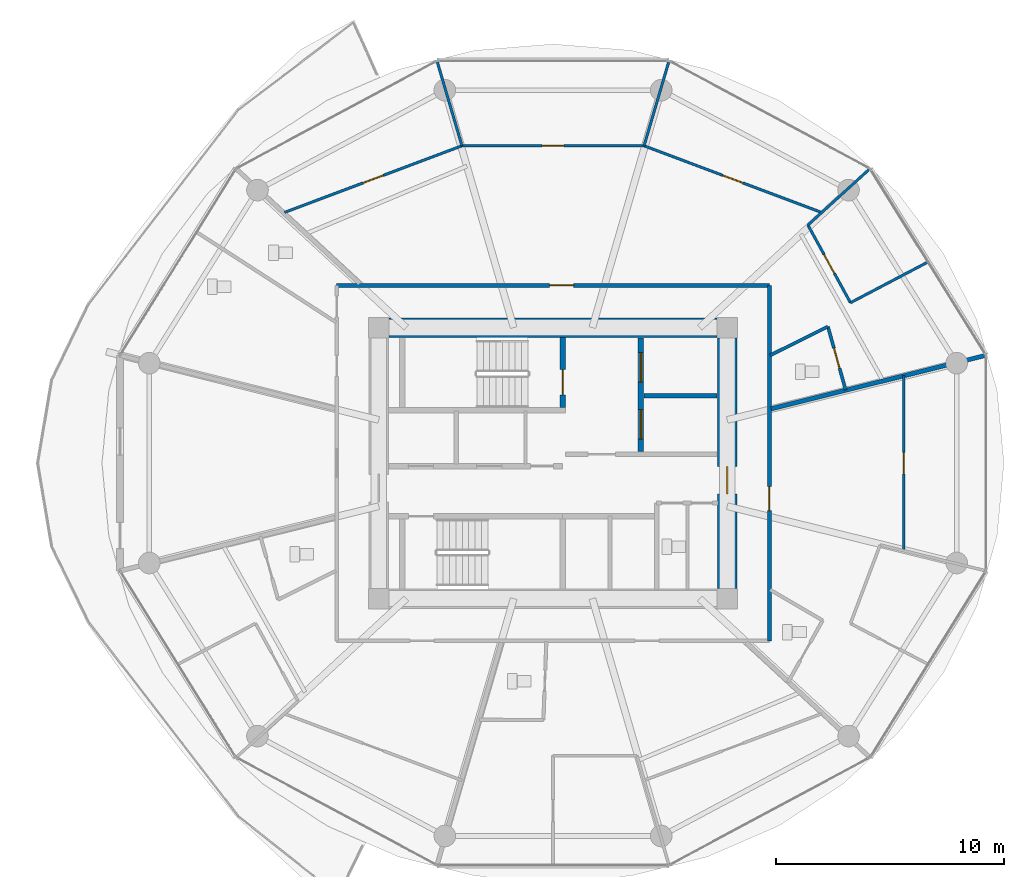
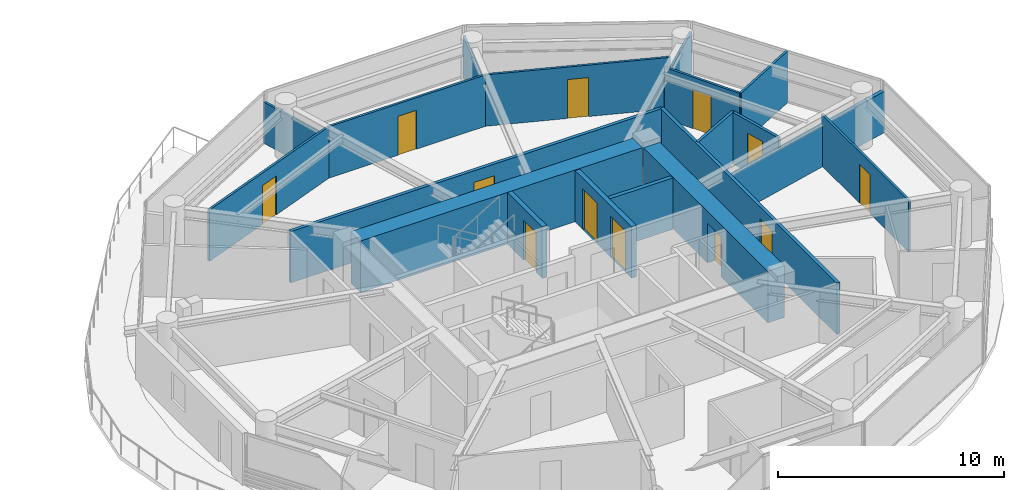
# One storey, part 20 of 26: 19 walls, 12 doors, 12 openings.
"""IFC4 building model written with IfcOpenShell, lengths in metres."""

from ifc_helpers import new_model, si_unit, direction, frame, frame_2d, origin, place, context, subcontext, project, spatial, rectangle, extrude, source, transform, mapped, material, layer, layer_set, type_object, type_shapes, element, fill, save


model = new_model("IFC4")

# Units and contexts
model_context = context("Model", 3, precision=1e-05, world=origin(), true_north=direction((0.0, 1.0)))
body_context = subcontext(model_context, "Body", "Model", "MODEL_VIEW")
ifc_project = project(units=[si_unit("LENGTHUNIT", "METRE"), si_unit("AREAUNIT", "SQUARE_METRE"), si_unit("VOLUMEUNIT", "CUBIC_METRE"), si_unit("PLANEANGLEUNIT", "RADIAN"), si_unit("MASSUNIT", "GRAM", prefix="KILO")], contexts=[model_context])

# Site, building, storey
site_placement = place(None, origin())
site = spatial("IfcSite", under=ifc_project, at=site_placement, CompositionType="ELEMENT")
building_placement = place(site_placement, origin())
building = spatial("IfcBuilding", under=site, at=building_placement, Name="Norrkilde Senior Care Towers", CompositionType="ELEMENT")
storey_placement = place(building_placement, frame((0.0, 0.0, 67.35009765625)))
storey = spatial("IfcBuildingStorey", under=building, at=storey_placement, Name="L20", CompositionType="ELEMENT", Elevation=67.35009765625)

# Wall
ifc_material_1 = material(Name="Concrete C60/75", Category="concrete")
ifc_layer_1 = layer(ifc_material_1, 0.85009765625)
ifc_layer_set_1 = layer_set([ifc_layer_1], Name="Concrete C60/75")
wall_type_1 = type_object("IfcWallType", Name="Core Shear Wall Z1 850", PredefinedType="SHEAR", material=ifc_layer_set_1)
shared_shape_1 = source(origin(), body_context, "Body", "SweptSolid", [
    extrude(rectangle(XDim=14.39990234375, YDim=0.85009765625, at=frame_2d((7.199951171875, 0.0))), origin(), (0.0, 0.0, 1.0), 2.789794921875),
])
wall_1_placement = place(storey_placement, frame((20.800048828125, 5.949951171875, 0.0), z_axis=(0.0, 0.0, 1.0), x_axis=(1.0, 0.0, 0.0)))
element("IfcWall", 1, at=wall_1_placement, inside=storey, type_object=wall_type_1, Name="L20 Core E North Shear Wall", PredefinedType="SHEAR", context=body_context, shape_type="MappedRepresentation", body=[
    mapped(shared_shape_1, transform((0.0, 0.0, 0.0), x_axis=(1.0, 0.0, 0.0), y_axis=(0.0, 1.0, 0.0), z_axis=(0.0, 0.0, 1.0), scale=1.0)),
])

# Wall, opening, door
shared_shape_2 = source(origin(), body_context, "Body", "SweptSolid", [
    extrude(rectangle(XDim=11.0, YDim=0.85009765625, at=frame_2d((5.5, 0.0))), origin(), (0.0, 0.0, 1.0), 2.789794921875),
])
type_shapes(wall_type_1, [shared_shape_1, shared_shape_2])
wall_2_placement = place(storey_placement, frame((35.64990234375, 5.5, 0.0), z_axis=(0.0, 0.0, 1.0), x_axis=(0.0, -1.0, 0.0)))
wall_2 = element("IfcWall", 2, at=wall_2_placement, inside=storey, type_object=wall_type_1, Name="L20 Core E East Shear Wall", PredefinedType="SHEAR", context=body_context, shape_type="MappedRepresentation", body=[
    mapped(shared_shape_2, transform((0.0, 0.0, 0.0), x_axis=(1.0, 0.0, 0.0), y_axis=(0.0, 1.0, 0.0), z_axis=(0.0, 0.0, 1.0), scale=1.0)),
])
opening_1_placement = place(wall_2_placement, frame((5.64990234375, 0.0, 0.0)))
opening_1 = element("IfcOpeningElement", 3, at=opening_1_placement, cuts=wall_2, Name="Opening D-04", PredefinedType="OPENING", context=body_context, shape_type="SweptSolid", body=[
    extrude(rectangle(XDim=1.199951171875, YDim=2.14990234375, at=frame_2d((0.60009765625, 1.074951171875))), frame((0.0, 0.43505859375, 0.0), z_axis=(0.0, -1.0, 0.0), x_axis=(1.0, 0.0, 0.0)), (0.0, 0.0, 1.0), 0.8701171875),
])
ifc_material_2 = material(Name="Galvanised Painted Steel", Category="steel")
door_type_1 = type_object("IfcDoorType", Name="Firefighting Lobby Fire Door 1200x2150", OperationType="NOTDEFINED", PredefinedType="DOOR", material=ifc_material_2)
shared_shape_3 = source(origin(), body_context, "Body", "SweptSolid", [
    extrude(rectangle(XDim=1.199951171875, YDim=2.14990234375, at=frame_2d((0.60009765625, 1.074951171875))), frame((0.0, 0.02490234375, 0.0), z_axis=(0.0, -1.0, 0.0), x_axis=(1.0, 0.0, 0.0)), (0.0, 0.0, 1.0), 0.050048828125),
])
type_shapes(door_type_1, [shared_shape_3])
door_1_placement = place(opening_1_placement, frame((1.199951171875, 0.0, 0.0), z_axis=(0.0, 0.0, 1.0), x_axis=(-1.0, 0.0, 0.0)))
door_1 = element("IfcDoor", 4, at=door_1_placement, inside=storey, type_object=door_type_1, Name="L20 Core E East Portal Door", OperationType="SINGLE_SWING_RIGHT", OverallHeight=2.14990234375, OverallWidth=1.199951171875, PredefinedType="DOOR", context=body_context, shape_type="MappedRepresentation", body=[
    mapped(shared_shape_3, transform((0.0, 0.0, 0.0), x_axis=(1.0, 0.0, 0.0), y_axis=(0.0, 1.0, 0.0), z_axis=(0.0, 0.0, 1.0), scale=1.0)),
])
fill(opening_1, door_1)

ifc_material_3 = material(Name="Concrete C45/55", Category="concrete")
ifc_layer_2 = layer(ifc_material_3, 0.239990234375)
ifc_layer_set_2 = layer_set([ifc_layer_2], Name="Concrete C45/55")
wall_type_2 = type_object("IfcWallType", Name="Shaft and Stair Enclosure Wall 240", PredefinedType="PARTITIONING", material=ifc_layer_set_2)
shared_shape_4 = source(origin(), body_context, "Body", "SweptSolid", [
    extrude(rectangle(XDim=3.074951171875, YDim=0.239990234375, at=frame_2d((1.53759765625, 0.0))), origin(), (0.0, 0.0, 1.0), 2.789794921875),
])
type_shapes(wall_type_2, [shared_shape_4])
wall_3_placement = place(storey_placement, frame((28.419921875, 2.449951171875, 0.0), z_axis=(0.0, 0.0, 1.0), x_axis=(0.0, 1.0, 0.0)))
wall_3 = element("IfcWall", 5, at=wall_3_placement, inside=storey, type_object=wall_type_2, Name="WL-INT-L20-E-ST1E", PredefinedType="PARTITIONING", context=body_context, shape_type="MappedRepresentation", body=[
    mapped(shared_shape_4, transform((0.0, 0.0, 0.0), x_axis=(1.0, 0.0, 0.0), y_axis=(0.0, 1.0, 0.0), z_axis=(0.0, 0.0, 1.0), scale=1.0)),
])
opening_2_placement = place(wall_3_placement, frame((0.550048828125, 0.0, 0.0)))
opening_2 = element("IfcOpeningElement", 6, at=opening_2_placement, cuts=wall_3, Name="Opening D-03", PredefinedType="OPENING", context=body_context, shape_type="SweptSolid", body=[
    extrude(rectangle(XDim=1.10009765625, YDim=2.14990234375, at=frame_2d((0.550048828125, 1.074951171875))), frame((0.0, 0.1298828125, 0.0), z_axis=(0.0, -1.0, 0.0), x_axis=(1.0, 0.0, 0.0)), (0.0, 0.0, 1.0), 0.260009765625),
])
door_type_2 = type_object("IfcDoorType", Name="Stairwell Protected Fire Door 1100x2150", OperationType="NOTDEFINED", PredefinedType="DOOR", material=ifc_material_2)
shared_shape_5 = source(origin(), body_context, "Body", "SweptSolid", [
    extrude(rectangle(XDim=1.10009765625, YDim=2.14990234375, at=frame_2d((0.550048828125, 1.074951171875))), frame((0.0, 0.02490234375, 0.0), z_axis=(0.0, -1.0, 0.0), x_axis=(1.0, 0.0, 0.0)), (0.0, 0.0, 1.0), 0.050048828125),
])
type_shapes(door_type_2, [shared_shape_5])
door_2_placement = place(opening_2_placement, origin())
door_2 = element("IfcDoor", 7, at=door_2_placement, inside=storey, type_object=door_type_2, Name="L20 Stair E1 Fire Door", OperationType="SINGLE_SWING_LEFT", OverallHeight=2.14990234375, OverallWidth=1.10009765625, PredefinedType="DOOR", context=body_context, shape_type="MappedRepresentation", body=[
    mapped(shared_shape_5, transform((0.0, 0.0, 0.0), x_axis=(1.0, 0.0, 0.0), y_axis=(0.0, 1.0, 0.0), z_axis=(0.0, 0.0, 1.0), scale=1.0)),
])
fill(opening_2, door_2)

# Wall, openings, doors
ifc_layer_3 = layer(ifc_material_3, 0.239990234375)
ifc_layer_set_3 = layer_set([ifc_layer_3], Name="Concrete C45/55")
wall_type_3 = type_object("IfcWallType", Name="Lift and Plant Rated Enclosure Partition 240", PredefinedType="PARTITIONING", material=ifc_layer_set_3)
shared_shape_6 = source(origin(), body_context, "Body", "SweptSolid", [
    extrude(rectangle(XDim=5.0, YDim=0.239990234375, at=frame_2d((2.5, 0.0))), origin(), (0.0, 0.0, 1.0), 2.77490234375),
])
type_shapes(wall_type_3, [shared_shape_6])
wall_4_placement = place(storey_placement, frame((31.860107421875, 0.5, 0.0), z_axis=(0.0, 0.0, 1.0), x_axis=(0.0, 1.0, 0.0)))
wall_4 = element("IfcWall", 8, at=wall_4_placement, inside=storey, type_object=wall_type_3, Name="WL-INT-L20-E-FFLE", PredefinedType="PARTITIONING", context=body_context, shape_type="MappedRepresentation", body=[
    mapped(shared_shape_6, transform((0.0, 0.0, 0.0), x_axis=(1.0, 0.0, 0.0), y_axis=(0.0, 1.0, 0.0), z_axis=(0.0, 0.0, 1.0), scale=1.0)),
])
opening_3_placement = place(wall_4_placement, frame((3.050048828125, 0.0, 0.0)))
opening_3 = element("IfcOpeningElement", 9, at=opening_3_placement, cuts=wall_4, Name="Opening LD-02", PredefinedType="OPENING", context=body_context, shape_type="SweptSolid", body=[
    extrude(rectangle(XDim=1.300048828125, YDim=2.199951171875, at=frame_2d((0.64990234375, 1.10009765625))), frame((0.0, 0.1298828125, 0.0), z_axis=(0.0, -1.0, 0.0), x_axis=(1.0, 0.0, 0.0)), (0.0, 0.0, 1.0), 0.260009765625),
])
opening_4_placement = place(wall_4_placement, frame((0.550048828125, 0.0, 0.0)))
opening_4 = element("IfcOpeningElement", 10, at=opening_4_placement, cuts=wall_4, Name="Opening LD-02", PredefinedType="OPENING", context=body_context, shape_type="SweptSolid", body=[
    extrude(rectangle(XDim=1.300048828125, YDim=2.199951171875, at=frame_2d((0.64990234375, 1.10009765625))), frame((0.0, 0.1298828125, 0.0), z_axis=(0.0, -1.0, 0.0), x_axis=(1.0, 0.0, 0.0)), (0.0, 0.0, 1.0), 0.260009765625),
])
ifc_material_4 = material(Name="Stainless Steel", Category="steel")
door_type_3 = type_object("IfcDoorType", Name="Stretcher and FFL Landing Sliding Door 1300x2200", OperationType="NOTDEFINED", PredefinedType="DOOR", material=ifc_material_4)
shared_shape_7 = source(origin(), body_context, "Body", "SweptSolid", [
    extrude(rectangle(XDim=1.300048828125, YDim=2.199951171875, at=frame_2d((0.64990234375, 1.10009765625))), frame((0.0, 0.02490234375, 0.0), z_axis=(0.0, -1.0, 0.0), x_axis=(1.0, 0.0, 0.0)), (0.0, 0.0, 1.0), 0.050048828125),
])
type_shapes(door_type_3, [shared_shape_7])
door_3_placement = place(opening_3_placement, origin())
door_3 = element("IfcDoor", 11, at=door_3_placement, inside=storey, type_object=door_type_3, Name="L20 Firefighting Lift E1 Landing Door", OperationType="SLIDING_TO_LEFT", OverallHeight=2.199951171875, OverallWidth=1.300048828125, PredefinedType="DOOR", context=body_context, shape_type="MappedRepresentation", body=[
    mapped(shared_shape_7, transform((0.0, 0.0, 0.0), x_axis=(1.0, 0.0, 0.0), y_axis=(0.0, 1.0, 0.0), z_axis=(0.0, 0.0, 1.0), scale=1.0)),
])
fill(opening_3, door_3)
door_4_placement = place(opening_4_placement, origin())
door_4 = element("IfcDoor", 12, at=door_4_placement, inside=storey, type_object=door_type_3, Name="L20 Stretcher Lift E1 Landing Door", OperationType="SLIDING_TO_RIGHT", OverallHeight=2.199951171875, OverallWidth=1.300048828125, PredefinedType="DOOR", context=body_context, shape_type="MappedRepresentation", body=[
    mapped(shared_shape_7, transform((0.0, 0.0, 0.0), x_axis=(1.0, 0.0, 0.0), y_axis=(0.0, 1.0, 0.0), z_axis=(0.0, 0.0, 1.0), scale=1.0)),
])
fill(opening_4, door_4)

# Wall
ifc_layer_4 = layer(ifc_material_3, 0.199951171875)
ifc_layer_set_4 = layer_set([ifc_layer_4], Name="Concrete C45/55")
wall_type_4 = type_object("IfcWallType", Name="Shaft Division and Plant Partition 200", PredefinedType="PARTITIONING", material=ifc_layer_set_4)
shared_shape_8 = source(origin(), body_context, "Body", "SweptSolid", [
    extrude(rectangle(XDim=3.199951171875, YDim=0.199951171875, at=frame_2d((1.60009765625, 0.0))), origin(), (0.0, 0.0, 1.0), 2.77490234375),
])
type_shapes(wall_type_4, [shared_shape_8])
wall_5_placement = place(storey_placement, frame((32.0, 2.949951171875, 0.0), z_axis=(0.0, 0.0, 1.0), x_axis=(1.0, 0.0, 0.0)))
element("IfcWall", 13, at=wall_5_placement, inside=storey, type_object=wall_type_4, Name="WL-INT-L20-E-FFLDIV", PredefinedType="PARTITIONING", context=body_context, shape_type="MappedRepresentation", body=[
    mapped(shared_shape_8, transform((0.0, 0.0, 0.0), x_axis=(1.0, 0.0, 0.0), y_axis=(0.0, 1.0, 0.0), z_axis=(0.0, 0.0, 1.0), scale=1.0)),
])

# Wall, opening, door
ifc_material_5 = material(Name="Gypsum Acoustic Board")
ifc_layer_5 = layer(ifc_material_5, 0.1650390625)
ifc_layer_set_5 = layer_set([ifc_layer_5], Name="Gypsum Acoustic Board")
wall_type_5 = type_object("IfcWallType", Name="Corridor Rated Partition 165", PredefinedType="PARTITIONING", material=ifc_layer_set_5)
shared_shape_9 = source(origin(), body_context, "Body", "SweptSolid", [
    extrude(rectangle(XDim=19.0, YDim=0.1650390625, at=frame_2d((9.5, 0.0))), origin(), (0.0, 0.0, 1.0), 2.77490234375),
])
wall_6_placement = place(storey_placement, frame((18.5, 7.800048828125, 0.0), z_axis=(0.0, 0.0, 1.0), x_axis=(1.0, 0.0, 0.0)))
wall_6 = element("IfcWall", 14, at=wall_6_placement, inside=storey, type_object=wall_type_5, Name="WL-INT-L20-E-CRW-N-0", PredefinedType="PARTITIONING", context=body_context, shape_type="MappedRepresentation", body=[
    mapped(shared_shape_9, transform((0.0, 0.0, 0.0), x_axis=(1.0, 0.0, 0.0), y_axis=(0.0, 1.0, 0.0), z_axis=(0.0, 0.0, 1.0), scale=1.0)),
])
opening_5_placement = place(wall_6_placement, frame((9.350341796875, 0.0, 0.0)))
opening_5 = element("IfcOpeningElement", 15, at=opening_5_placement, cuts=wall_6, Name="Opening D-06", PredefinedType="OPENING", context=body_context, shape_type="SweptSolid", body=[
    extrude(rectangle(XDim=1.050048828125, YDim=2.14990234375, at=frame_2d((0.52490234375, 1.074951171875))), frame((0.0, 0.092529296875, 0.0), z_axis=(0.0, -1.0, 0.0), x_axis=(1.0, 0.0, 0.0)), (0.0, 0.0, 1.0), 0.18505859375),
])
ifc_material_6 = material(Name="Nordic Ash Timber", Category="wood")
door_type_4 = type_object("IfcDoorType", Name="Apartment Entrance Fire Door 1050x2150", OperationType="NOTDEFINED", PredefinedType="DOOR", material=ifc_material_6)
shared_shape_10 = source(origin(), body_context, "Body", "SweptSolid", [
    extrude(rectangle(XDim=1.050048828125, YDim=2.14990234375, at=frame_2d((0.52490234375, 1.074951171875))), frame((0.0, 0.02490234375, 0.0), z_axis=(0.0, -1.0, 0.0), x_axis=(1.0, 0.0, 0.0)), (0.0, 0.0, 1.0), 0.050048828125),
])
type_shapes(door_type_4, [shared_shape_10])
door_5_placement = place(opening_5_placement, frame((1.050048828125, 0.0, 0.0), z_axis=(0.0, 0.0, 1.0), x_axis=(-1.0, 0.0, 0.0)))
door_5 = element("IfcDoor", 16, at=door_5_placement, inside=storey, type_object=door_type_4, Name="Apartment 20D Entrance Door", OperationType="SINGLE_SWING_LEFT", OverallHeight=2.14990234375, OverallWidth=1.050048828125, PredefinedType="DOOR", context=body_context, shape_type="MappedRepresentation", body=[
    mapped(shared_shape_10, transform((0.0, 0.0, 0.0), x_axis=(1.0, 0.0, 0.0), y_axis=(0.0, 1.0, 0.0), z_axis=(0.0, 0.0, 1.0), scale=1.0)),
])
fill(opening_5, door_5)

shared_shape_11 = source(origin(), body_context, "Body", "SweptSolid", [
    extrude(rectangle(XDim=15.60009765625, YDim=0.1650390625, at=frame_2d((7.800048828125, 0.0))), origin(), (0.0, 0.0, 1.0), 2.77490234375),
])
type_shapes(wall_type_5, [shared_shape_9, shared_shape_11])
wall_7_placement = place(storey_placement, frame((37.5, 7.800048828125, 0.0), z_axis=(0.0, 0.0, 1.0), x_axis=(0.0, -1.0, 0.0)))
wall_7 = element("IfcWall", 17, at=wall_7_placement, inside=storey, type_object=wall_type_5, Name="WL-INT-L20-E-CRW-E-0", PredefinedType="PARTITIONING", context=body_context, shape_type="MappedRepresentation", body=[
    mapped(shared_shape_11, transform((0.0, 0.0, 0.0), x_axis=(1.0, 0.0, 0.0), y_axis=(0.0, 1.0, 0.0), z_axis=(0.0, 0.0, 1.0), scale=1.0)),
])
opening_6_placement = place(wall_7_placement, frame((8.834716796875, 0.0, 0.0)))
opening_6 = element("IfcOpeningElement", 18, at=opening_6_placement, cuts=wall_7, Name="Opening D-06", PredefinedType="OPENING", context=body_context, shape_type="SweptSolid", body=[
    extrude(rectangle(XDim=1.050048828125, YDim=2.14990234375, at=frame_2d((0.52490234375, 1.074951171875))), frame((0.0, 0.092529296875, 0.0), z_axis=(0.0, -1.0, 0.0), x_axis=(1.0, 0.0, 0.0)), (0.0, 0.0, 1.0), 0.18505859375),
])
door_6_placement = place(opening_6_placement, frame((1.050048828125, 0.0, 0.0), z_axis=(0.0, 0.0, 1.0), x_axis=(-1.0, 0.0, 0.0)))
door_6 = element("IfcDoor", 19, at=door_6_placement, inside=storey, type_object=door_type_4, Name="Apartment 20C Entrance Door", OperationType="SINGLE_SWING_LEFT", OverallHeight=2.14990234375, OverallWidth=1.050048828125, PredefinedType="DOOR", context=body_context, shape_type="MappedRepresentation", body=[
    mapped(shared_shape_10, transform((0.0, 0.0, 0.0), x_axis=(1.0, 0.0, 0.0), y_axis=(0.0, 1.0, 0.0), z_axis=(0.0, 0.0, 1.0), scale=1.0)),
])
fill(opening_6, door_6)

# Wall
ifc_layer_6 = layer(ifc_material_5, 0.18994140625)
ifc_layer_set_6 = layer_set([ifc_layer_6], Name="Gypsum Acoustic Board")
wall_type_6 = type_object("IfcWallType", Name="Unit Demising Acoustic Wall 190", PredefinedType="PARTITIONING", material=ifc_layer_set_6)
shared_shape_12 = source(origin(), body_context, "Body", "SweptSolid", [
    extrude(rectangle(XDim=9.737060546875, YDim=0.18994140625, at=frame_2d((4.86865234375, 0.0))), origin(), (0.0, 0.0, 1.0), 2.224853515625),
])
type_shapes(wall_type_6, [shared_shape_12])
wall_8_placement = place(storey_placement, frame((37.580078125, 2.384521484375, 0.0), z_axis=(0.0, 0.0, 1.0), x_axis=(0.970392716238, 0.241532557375, 0.0)))
element("IfcWall", 20, at=wall_8_placement, inside=storey, type_object=wall_type_6, Name="WL-INT-L20-E-DEM-00-0", PredefinedType="PARTITIONING", context=body_context, shape_type="MappedRepresentation", body=[
    mapped(shared_shape_12, transform((0.0, 0.0, 0.0), x_axis=(1.0, 0.0, 0.0), y_axis=(0.0, 1.0, 0.0), z_axis=(0.0, 0.0, 1.0), scale=1.0)),
])

# Wall, opening, door
ifc_layer_7 = layer(ifc_material_5, 0.114990234375)
ifc_layer_set_7 = layer_set([ifc_layer_7], Name="Gypsum Acoustic Board")
wall_type_7 = type_object("IfcWallType", Name="Internal Room Partition 115", PredefinedType="PARTITIONING", material=ifc_layer_set_7)
shared_shape_13 = source(origin(), body_context, "Body", "SweptSolid", [
    extrude(rectangle(XDim=7.99267578125, YDim=0.114990234375, at=frame_2d((3.996337890625, 0.0))), origin(), (0.0, 0.0, 1.0), 2.77490234375),
])
wall_9_placement = place(storey_placement, frame((31.996337890625, 13.927001953125, 0.0), z_axis=(0.0, 0.0, 1.0), x_axis=(-1.0, 0.0, 0.0)))
wall_9 = element("IfcWall", 21, at=wall_9_placement, inside=storey, type_object=wall_type_7, Name="WL-INT-L20-E-UBC-00-2", PredefinedType="PARTITIONING", context=body_context, shape_type="MappedRepresentation", body=[
    mapped(shared_shape_13, transform((0.0, 0.0, 0.0), x_axis=(1.0, 0.0, 0.0), y_axis=(0.0, 1.0, 0.0), z_axis=(0.0, 0.0, 1.0), scale=1.0)),
])
opening_7_placement = place(wall_9_placement, frame((3.521484375, 0.0, 0.0)))
opening_7 = element("IfcOpeningElement", 22, at=opening_7_placement, cuts=wall_9, Name="Opening D-07", PredefinedType="OPENING", context=body_context, shape_type="SweptSolid", body=[
    extrude(rectangle(XDim=0.949951171875, YDim=2.10009765625, at=frame_2d((0.47509765625, 1.050048828125))), frame((0.0, 0.0673828125, 0.0), z_axis=(0.0, -1.0, 0.0), x_axis=(1.0, 0.0, 0.0)), (0.0, 0.0, 1.0), 0.135009765625),
])
door_type_5 = type_object("IfcDoorType", Name="Internal Suite Bedroom Door 950x2100", OperationType="NOTDEFINED", PredefinedType="DOOR", material=ifc_material_6)
shared_shape_14 = source(origin(), body_context, "Body", "SweptSolid", [
    extrude(rectangle(XDim=0.949951171875, YDim=2.10009765625, at=frame_2d((0.47509765625, 1.050048828125))), frame((0.0, 0.02490234375, 0.0), z_axis=(0.0, -1.0, 0.0), x_axis=(1.0, 0.0, 0.0)), (0.0, 0.0, 1.0), 0.050048828125),
])
type_shapes(door_type_5, [shared_shape_14])
door_7_placement = place(opening_7_placement, frame((0.949951171875, 0.0, 0.0), z_axis=(0.0, 0.0, 1.0), x_axis=(-1.0, 0.0, 0.0)))
door_7 = element("IfcDoor", 23, at=door_7_placement, inside=storey, type_object=door_type_5, Name="Apartment 20D Bedroom 2 Door", OperationType="SINGLE_SWING_LEFT", OverallHeight=2.10009765625, OverallWidth=0.949951171875, PredefinedType="DOOR", context=body_context, shape_type="MappedRepresentation", body=[
    mapped(shared_shape_14, transform((0.0, 0.0, 0.0), x_axis=(1.0, 0.0, 0.0), y_axis=(0.0, 1.0, 0.0), z_axis=(0.0, 0.0, 1.0), scale=1.0)),
])
fill(opening_7, door_7)

shared_shape_15 = source(origin(), body_context, "Body", "SweptSolid", [
    extrude(rectangle(XDim=8.31982421875, YDim=0.114990234375, at=frame_2d((4.159912109375, 0.0))), origin(), (0.0, 0.0, 1.0), 2.77490234375),
])
wall_10_placement = place(storey_placement, frame((39.7861328125, 11.005615234375, 0.0), z_axis=(0.0, 0.0, 1.0), x_axis=(-0.936180763098, 0.351518959382, 0.0)))
wall_10 = element("IfcWall", 24, at=wall_10_placement, inside=storey, type_object=wall_type_7, Name="WL-INT-L20-E-UBC-00-1", PredefinedType="PARTITIONING", context=body_context, shape_type="MappedRepresentation", body=[
    mapped(shared_shape_15, transform((0.0, 0.0, 0.0), x_axis=(1.0, 0.0, 0.0), y_axis=(0.0, 1.0, 0.0), z_axis=(0.0, 0.0, 1.0), scale=1.0)),
])
opening_8_placement = place(wall_10_placement, frame((3.684814453125, 0.0, 0.0)))
opening_8 = element("IfcOpeningElement", 25, at=opening_8_placement, cuts=wall_10, Name="Opening D-07", PredefinedType="OPENING", context=body_context, shape_type="SweptSolid", body=[
    extrude(rectangle(XDim=0.949951171875, YDim=2.10009765625, at=frame_2d((0.47509765625, 1.050048828125))), frame((0.0, 0.0673828125, 0.0), z_axis=(0.0, -1.0, 0.0), x_axis=(1.0, 0.0, 0.0)), (0.0, 0.0, 1.0), 0.135009765625),
])
door_8_placement = place(opening_8_placement, origin())
door_8 = element("IfcDoor", 26, at=door_8_placement, inside=storey, type_object=door_type_5, Name="Apartment 20D Bedroom 1 Door", OperationType="SINGLE_SWING_RIGHT", OverallHeight=2.10009765625, OverallWidth=0.949951171875, PredefinedType="DOOR", context=body_context, shape_type="MappedRepresentation", body=[
    mapped(shared_shape_14, transform((0.0, 0.0, 0.0), x_axis=(1.0, 0.0, 0.0), y_axis=(0.0, 1.0, 0.0), z_axis=(0.0, 0.0, 1.0), scale=1.0)),
])
fill(opening_8, door_8)

wall_11_placement = place(storey_placement, frame((24.002685546875, 13.93017578125, 0.0), z_axis=(0.0, 0.0, 1.0), x_axis=(-0.936180763098, -0.351518959382, 0.0)))
wall_11 = element("IfcWall", 27, at=wall_11_placement, inside=storey, type_object=wall_type_7, Name="WL-INT-L20-E-UBC-00-3", PredefinedType="PARTITIONING", context=body_context, shape_type="MappedRepresentation", body=[
    mapped(shared_shape_15, transform((0.0, 0.0, 0.0), x_axis=(1.0, 0.0, 0.0), y_axis=(0.0, 1.0, 0.0), z_axis=(0.0, 0.0, 1.0), scale=1.0)),
])
opening_9_placement = place(wall_11_placement, frame((3.684814453125, 0.0, 0.0)))
opening_9 = element("IfcOpeningElement", 28, at=opening_9_placement, cuts=wall_11, Name="Opening D-07", PredefinedType="OPENING", context=body_context, shape_type="SweptSolid", body=[
    extrude(rectangle(XDim=0.949951171875, YDim=2.10009765625, at=frame_2d((0.47509765625, 1.050048828125))), frame((0.0, 0.0673828125, 0.0), z_axis=(0.0, -1.0, 0.0), x_axis=(1.0, 0.0, 0.0)), (0.0, 0.0, 1.0), 0.135009765625),
])
door_9_placement = place(opening_9_placement, origin())
door_9 = element("IfcDoor", 29, at=door_9_placement, inside=storey, type_object=door_type_5, Name="Apartment 20D Bedroom 3 Door", OperationType="SINGLE_SWING_RIGHT", OverallHeight=2.10009765625, OverallWidth=0.949951171875, PredefinedType="DOOR", context=body_context, shape_type="MappedRepresentation", body=[
    mapped(shared_shape_14, transform((0.0, 0.0, 0.0), x_axis=(1.0, 0.0, 0.0), y_axis=(0.0, 1.0, 0.0), z_axis=(0.0, 0.0, 1.0), scale=1.0)),
])
fill(opening_9, door_9)

shared_shape_16 = source(origin(), body_context, "Body", "SweptSolid", [
    extrude(rectangle(XDim=7.70947265625, YDim=0.114990234375, at=frame_2d((3.854736328125, 0.0))), origin(), (0.0, 0.0, 1.0), 2.77490234375),
])
wall_12_placement = place(storey_placement, frame((43.40625, -3.854736328125, 0.0), z_axis=(0.0, 0.0, 1.0), x_axis=(0.0, 1.0, 0.0)))
wall_12 = element("IfcWall", 30, at=wall_12_placement, inside=storey, type_object=wall_type_7, Name="WL-INT-L20-E-UBC-10-1", PredefinedType="PARTITIONING", context=body_context, shape_type="MappedRepresentation", body=[
    mapped(shared_shape_16, transform((0.0, 0.0, 0.0), x_axis=(1.0, 0.0, 0.0), y_axis=(0.0, 1.0, 0.0), z_axis=(0.0, 0.0, 1.0), scale=1.0)),
])
opening_10_placement = place(wall_12_placement, frame((3.379638671875, 0.0, 0.0)))
opening_10 = element("IfcOpeningElement", 31, at=opening_10_placement, cuts=wall_12, Name="Opening D-07", PredefinedType="OPENING", context=body_context, shape_type="SweptSolid", body=[
    extrude(rectangle(XDim=0.949951171875, YDim=2.10009765625, at=frame_2d((0.47509765625, 1.050048828125))), frame((0.0, 0.0673828125, 0.0), z_axis=(0.0, -1.0, 0.0), x_axis=(1.0, 0.0, 0.0)), (0.0, 0.0, 1.0), 0.135009765625),
])
door_10_placement = place(opening_10_placement, origin())
door_10 = element("IfcDoor", 32, at=door_10_placement, inside=storey, type_object=door_type_5, Name="Apartment 20C Bedroom 1 Door", OperationType="SINGLE_SWING_RIGHT", OverallHeight=2.10009765625, OverallWidth=0.949951171875, PredefinedType="DOOR", context=body_context, shape_type="MappedRepresentation", body=[
    mapped(shared_shape_14, transform((0.0, 0.0, 0.0), x_axis=(1.0, 0.0, 0.0), y_axis=(0.0, 1.0, 0.0), z_axis=(0.0, 0.0, 1.0), scale=1.0)),
])
fill(opening_10, door_10)

# Walls
shared_shape_17 = source(origin(), body_context, "Body", "SweptSolid", [
    extrude(rectangle(XDim=3.863525390625, YDim=0.114990234375, at=frame_2d((1.931640625, 0.0))), origin(), (0.0, 0.0, 1.0), 2.77490234375),
])
wall_13_placement = place(storey_placement, frame((41.0595703125, 7.040771484375, 0.0), z_axis=(0.0, 0.0, 1.0), x_axis=(0.885194959803, 0.465220252289, 0.0)))
element("IfcWall", 33, at=wall_13_placement, inside=storey, type_object=wall_type_7, Name="WL-INT-L20-E-UKTS-00", PredefinedType="PARTITIONING", context=body_context, shape_type="MappedRepresentation", body=[
    mapped(shared_shape_17, transform((0.0, 0.0, 0.0), x_axis=(1.0, 0.0, 0.0), y_axis=(0.0, 1.0, 0.0), z_axis=(0.0, 0.0, 1.0), scale=1.0)),
])
shared_shape_18 = source(origin(), body_context, "Body", "SweptSolid", [
    extrude(rectangle(XDim=3.90478515625, YDim=0.114990234375, at=frame_2d((1.952392578125, 0.0))), origin(), (0.0, 0.0, 1.0), 2.224853515625),
])
wall_14_placement = place(storey_placement, frame((24.002685546875, 13.93017578125, 0.0), z_axis=(0.0, 0.0, 1.0), x_axis=(-0.282037692958, 0.959403324859, 0.0)))
element("IfcWall", 34, at=wall_14_placement, inside=storey, type_object=wall_type_7, Name="WL-INT-L20-E-UBR-00-3", PredefinedType="PARTITIONING", context=body_context, shape_type="MappedRepresentation", body=[
    mapped(shared_shape_18, transform((0.0, 0.0, 0.0), x_axis=(1.0, 0.0, 0.0), y_axis=(0.0, 1.0, 0.0), z_axis=(0.0, 0.0, 1.0), scale=1.0)),
])
ifc_layer_8 = layer(ifc_material_5, 0.139892578125)
ifc_layer_set_8 = layer_set([ifc_layer_8], Name="Gypsum Acoustic Board")
wall_type_8 = type_object("IfcWallType", Name="En-suite Wet Room Wall 140", PredefinedType="PARTITIONING", material=ifc_layer_set_8)
shared_shape_19 = source(origin(), body_context, "Body", "SweptSolid", [
    extrude(rectangle(XDim=2.83447265625, YDim=0.139892578125, at=frame_2d((1.417236328125, 0.0))), origin(), (0.0, 0.0, 1.0), 2.77490234375),
])
wall_15_placement = place(storey_placement, frame((37.530029296875, 4.731689453125, 0.0), z_axis=(0.0, 0.0, 1.0), x_axis=(0.895681174462, 0.444696788513, 0.0)))
element("IfcWall", 35, at=wall_15_placement, inside=storey, type_object=wall_type_8, Name="WL-INT-L20-E-UBTS-00", PredefinedType="PARTITIONING", context=body_context, shape_type="MappedRepresentation", body=[
    mapped(shared_shape_19, transform((0.0, 0.0, 0.0), x_axis=(1.0, 0.0, 0.0), y_axis=(0.0, 1.0, 0.0), z_axis=(0.0, 0.0, 1.0), scale=1.0)),
])

# Wall, opening, door
shared_shape_20 = source(origin(), body_context, "Body", "SweptSolid", [
    extrude(rectangle(XDim=2.884765625, YDim=0.139892578125, at=frame_2d((1.4423828125, 0.0))), origin(), (0.0, 0.0, 1.0), 2.77490234375),
])
type_shapes(wall_type_8, [shared_shape_19, shared_shape_20])
wall_16_placement = place(storey_placement, frame((40.06884765625, 5.9921875, 0.0), z_axis=(0.0, 0.0, 1.0), x_axis=(0.269799431837, -0.962916541856, 0.0)))
wall_16 = element("IfcWall", 36, at=wall_16_placement, inside=storey, type_object=wall_type_8, Name="WL-INT-L20-E-UBTF-00", PredefinedType="PARTITIONING", context=body_context, shape_type="MappedRepresentation", body=[
    mapped(shared_shape_20, transform((0.0, 0.0, 0.0), x_axis=(1.0, 0.0, 0.0), y_axis=(0.0, 1.0, 0.0), z_axis=(0.0, 0.0, 1.0), scale=1.0)),
])
opening_11_placement = place(wall_16_placement, frame((0.982421875, 0.0, 0.0)))
opening_11 = element("IfcOpeningElement", 37, at=opening_11_placement, cuts=wall_16, Name="Opening D-08", PredefinedType="OPENING", context=body_context, shape_type="SweptSolid", body=[
    extrude(rectangle(XDim=0.919921875, YDim=2.10009765625, at=frame_2d((0.4599609375, 1.050048828125))), frame((0.0, 0.079833984375, 0.0), z_axis=(0.0, -1.0, 0.0), x_axis=(1.0, 0.0, 0.0)), (0.0, 0.0, 1.0), 0.159912109375),
])
door_type_6 = type_object("IfcDoorType", Name="Accessible Wet Room Door 920x2100", OperationType="NOTDEFINED", PredefinedType="DOOR", material=ifc_material_6)
shared_shape_21 = source(origin(), body_context, "Body", "SweptSolid", [
    extrude(rectangle(XDim=0.919921875, YDim=2.10009765625, at=frame_2d((0.4599609375, 1.050048828125))), frame((0.0, 0.02490234375, 0.0), z_axis=(0.0, -1.0, 0.0), x_axis=(1.0, 0.0, 0.0)), (0.0, 0.0, 1.0), 0.050048828125),
])
type_shapes(door_type_6, [shared_shape_21])
door_11_placement = place(opening_11_placement, origin())
door_11 = element("IfcDoor", 38, at=door_11_placement, inside=storey, type_object=door_type_6, Name="Apartment 20D Bathroom Door", OperationType="SINGLE_SWING_RIGHT", OverallHeight=2.10009765625, OverallWidth=0.919921875, PredefinedType="DOOR", context=body_context, shape_type="MappedRepresentation", body=[
    mapped(shared_shape_21, transform((0.0, 0.0, 0.0), x_axis=(1.0, 0.0, 0.0), y_axis=(0.0, 1.0, 0.0), z_axis=(0.0, 0.0, 1.0), scale=1.0)),
])
fill(opening_11, door_11)

# Wall
shared_shape_22 = source(origin(), body_context, "Body", "SweptSolid", [
    extrude(rectangle(XDim=3.712890625, YDim=0.114990234375, at=frame_2d((1.8564453125, 0.0))), origin(), (0.0, 0.0, 1.0), 2.224853515625),
])
wall_17_placement = place(storey_placement, frame((39.182861328125, 10.442138671875, 0.0), z_axis=(0.0, 0.0, 1.0), x_axis=(0.739877587881, 0.67274152165, 0.0)))
element("IfcWall", 39, at=wall_17_placement, inside=storey, type_object=wall_type_7, Name="WL-INT-L20-E-UBR-00-1", PredefinedType="PARTITIONING", context=body_context, shape_type="MappedRepresentation", body=[
    mapped(shared_shape_22, transform((0.0, 0.0, 0.0), x_axis=(1.0, 0.0, 0.0), y_axis=(0.0, 1.0, 0.0), z_axis=(0.0, 0.0, 1.0), scale=1.0)),
])

# Wall, opening, door
shared_shape_23 = source(origin(), body_context, "Body", "SweptSolid", [
    extrude(rectangle(XDim=3.887939453125, YDim=0.114990234375, at=frame_2d((1.94384765625, 0.0))), origin(), (0.0, 0.0, 1.0), 2.77490234375),
])
wall_18_placement = place(storey_placement, frame((41.0595703125, 7.040771484375, 0.0), z_axis=(0.0, 0.0, 1.0), x_axis=(-0.480382482853, 0.877059103007, 0.0)))
wall_18 = element("IfcWall", 40, at=wall_18_placement, inside=storey, type_object=wall_type_7, Name="WL-INT-L20-E-UKTF-00", PredefinedType="PARTITIONING", context=body_context, shape_type="MappedRepresentation", body=[
    mapped(shared_shape_23, transform((0.0, 0.0, 0.0), x_axis=(1.0, 0.0, 0.0), y_axis=(0.0, 1.0, 0.0), z_axis=(0.0, 0.0, 1.0), scale=1.0)),
])
opening_12_placement = place(wall_18_placement, frame((1.468994140625, 0.0, 0.0)))
opening_12 = element("IfcOpeningElement", 41, at=opening_12_placement, cuts=wall_18, Name="Opening D-07", PredefinedType="OPENING", context=body_context, shape_type="SweptSolid", body=[
    extrude(rectangle(XDim=0.949951171875, YDim=2.10009765625, at=frame_2d((0.47509765625, 1.050048828125))), frame((0.0, 0.0673828125, 0.0), z_axis=(0.0, -1.0, 0.0), x_axis=(1.0, 0.0, 0.0)), (0.0, 0.0, 1.0), 0.135009765625),
])
door_12_placement = place(opening_12_placement, frame((0.949951171875, 0.0, 0.0), z_axis=(0.0, 0.0, 1.0), x_axis=(-1.0, 0.0, 0.0)))
door_12 = element("IfcDoor", 42, at=door_12_placement, inside=storey, type_object=door_type_5, Name="Apartment 20D Kitchen Door", OperationType="SINGLE_SWING_LEFT", OverallHeight=2.10009765625, OverallWidth=0.949951171875, PredefinedType="DOOR", context=body_context, shape_type="MappedRepresentation", body=[
    mapped(shared_shape_14, transform((0.0, 0.0, 0.0), x_axis=(1.0, 0.0, 0.0), y_axis=(0.0, 1.0, 0.0), z_axis=(0.0, 0.0, 1.0), scale=1.0)),
])
fill(opening_12, door_12)

# Wall
shared_shape_24 = source(origin(), body_context, "Body", "SweptSolid", [
    extrude(rectangle(XDim=3.908203125, YDim=0.114990234375, at=frame_2d((1.9541015625, 0.0))), origin(), (0.0, 0.0, 1.0), 2.224853515625),
])
type_shapes(wall_type_7, [shared_shape_13, shared_shape_15, shared_shape_16, shared_shape_17, shared_shape_18, shared_shape_22, shared_shape_23, shared_shape_24])
wall_19_placement = place(storey_placement, frame((31.996337890625, 13.927001953125, 0.0), z_axis=(0.0, 0.0, 1.0), x_axis=(0.282047948883, 0.959400309845, 0.0)))
element("IfcWall", 43, at=wall_19_placement, inside=storey, type_object=wall_type_7, Name="WL-INT-L20-E-UBR-00-2", PredefinedType="PARTITIONING", context=body_context, shape_type="MappedRepresentation", body=[
    mapped(shared_shape_24, transform((0.0, 0.0, 0.0), x_axis=(1.0, 0.0, 0.0), y_axis=(0.0, 1.0, 0.0), z_axis=(0.0, 0.0, 1.0), scale=1.0)),
])

save(model, "model.ifc")
